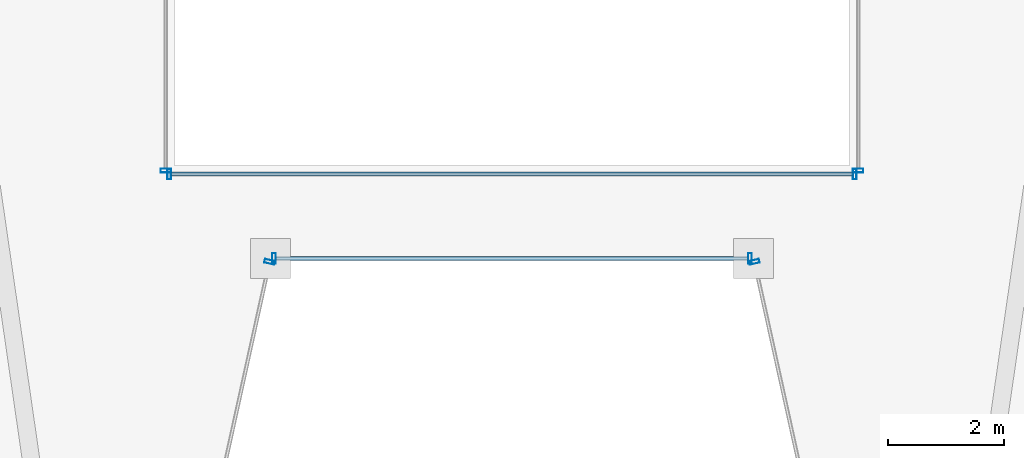
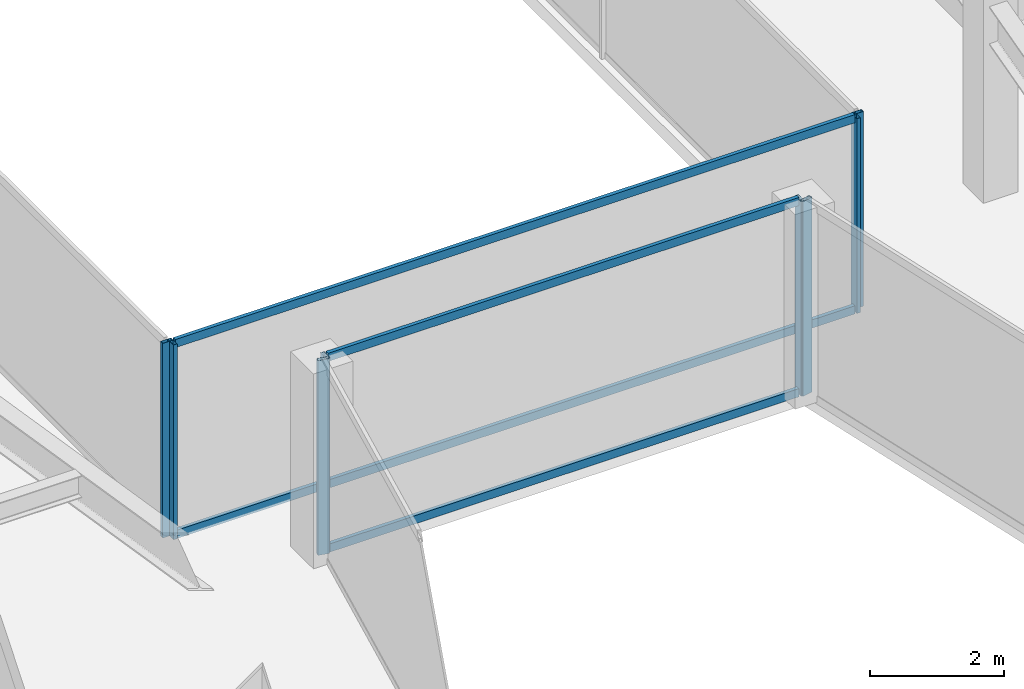
# One storey, part 7 of 38: 12 members, 6 elements without a shape of their own.
"""IFC4 building model written with IfcOpenShell, lengths in metres."""

from ifc_helpers import new_model, si_unit, direction, frame, origin, origin_2d, place, context, subcontext, project, spatial, hollow_rectangle, extrude, material, material_profile, profile_set, type_object, element, aggregate, save


model = new_model("IFC4")

# Units and contexts
model_context = context("Model", 3, precision=1e-05, world=origin(), true_north=direction((0.0, 1.0)))
body_context = subcontext(model_context, "Body", "Model", "MODEL_VIEW")
ifc_project = project(units=[si_unit("LENGTHUNIT", "METRE"), si_unit("AREAUNIT", "SQUARE_METRE"), si_unit("VOLUMEUNIT", "CUBIC_METRE"), si_unit("PLANEANGLEUNIT", "RADIAN"), si_unit("MASSUNIT", "GRAM", prefix="KILO")], contexts=[model_context])

# Site, building, storey
site_placement = place(None, origin())
site = spatial("IfcSite", under=ifc_project, at=site_placement, CompositionType="ELEMENT")
building_placement = place(site_placement, origin())
building = spatial("IfcBuilding", under=site, at=building_placement, Name="Saevonmaru Cultural Tower", CompositionType="ELEMENT")
storey_placement = place(building_placement, frame((0.0, 0.0, 137.199951171875)))
storey = spatial("IfcBuildingStorey", under=building, at=storey_placement, Name="L29", CompositionType="ELEMENT", Elevation=137.199951171875)

# Curtain wall, member
ifc_material = material(Name="Satin Bronze Anodised Aluminium", Category="aluminium")
curtain_wall_type_1 = type_object("IfcCurtainWallType", Name="CW-TYP-A", PredefinedType="NOTDEFINED", material=ifc_material)
curtain_wall_1_placement = place(storey_placement, origin())
curtain_wall_1 = element("IfcCurtainWall", 1, at=curtain_wall_1_placement, inside=storey, type_object=curtain_wall_type_1, Name="L29 Unitised Curtain Wall E3", PredefinedType="NOTDEFINED")
ifc_material_profile_1 = material_profile(ifc_material, hollow_rectangle(XDim=0.06494140625, YDim=0.179931640625, WallThickness=0.00390625, at=origin_2d()), Name="ALU-MULL-180x65x4")
ifc_profile_set_1 = profile_set([ifc_material_profile_1], Name="Satin Bronze Anodised Aluminium")
member_type_1 = type_object("IfcMemberType", Name="ML-CW-180x65", PredefinedType="MULLION", material=ifc_profile_set_1)
member_1_placement = place(storey_placement, frame((25.8359375, 20.741455078125, 0.0), z_axis=(0.0, 0.0, 1.0), x_axis=(0.215413319953, 0.976522965212, 0.0)))
member_1 = element("IfcMember", 2, at=member_1_placement, type_object=member_type_1, Name="CW-TW-L29-E3 mullion 2", PredefinedType="MULLION", context=body_context, shape_type="SweptSolid", body=[
    extrude(hollow_rectangle(XDim=0.06494140625, YDim=0.179931640625, WallThickness=0.00390625, at=origin_2d()), origin(), (0.0, 0.0, 1.0), 3.550048828125),
])
aggregate(curtain_wall_1, [member_1])

# Curtain wall, members
curtain_wall_2_placement = place(storey_placement, origin())
curtain_wall_2 = element("IfcCurtainWall", 3, at=curtain_wall_2_placement, inside=storey, type_object=curtain_wall_type_1, Name="L29 Unitised Curtain Wall E4", PredefinedType="NOTDEFINED")
member_2_placement = place(storey_placement, frame((25.908935546875, 20.800048828125, 0.0), z_axis=(0.0, 0.0, 1.0), x_axis=(1.0, 0.0, 0.0)))
member_2 = element("IfcMember", 4, at=member_2_placement, type_object=member_type_1, Name="CW-TW-L29-E4 mullion 1", PredefinedType="MULLION", context=body_context, shape_type="SweptSolid", body=[
    extrude(hollow_rectangle(XDim=0.06494140625, YDim=0.179931640625, WallThickness=0.00390625, at=origin_2d()), origin(), (0.0, 0.0, 1.0), 3.550048828125),
])
member_3_placement = place(storey_placement, frame((34.091064453125, 20.800048828125, 0.0), z_axis=(0.0, 0.0, 1.0), x_axis=(1.0, 0.0, 0.0)))
member_3 = element("IfcMember", 5, at=member_3_placement, type_object=member_type_1, Name="CW-TW-L29-E4 mullion 2", PredefinedType="MULLION", context=body_context, shape_type="SweptSolid", body=[
    extrude(hollow_rectangle(XDim=0.06494140625, YDim=0.179931640625, WallThickness=0.00390625, at=origin_2d()), origin(), (0.0, 0.0, 1.0), 3.550048828125),
])

# Curtain wall, member
curtain_wall_3_placement = place(storey_placement, origin())
curtain_wall_3 = element("IfcCurtainWall", 6, at=curtain_wall_3_placement, inside=storey, type_object=curtain_wall_type_1, Name="L29 Unitised Curtain Wall E5", PredefinedType="NOTDEFINED")
member_4_placement = place(storey_placement, frame((34.1640625, 20.741455078125, 0.0), z_axis=(0.0, 0.0, 1.0), x_axis=(0.215413319953, -0.976522965212, 0.0)))
member_4 = element("IfcMember", 7, at=member_4_placement, type_object=member_type_1, Name="CW-TW-L29-E5 mullion 1", PredefinedType="MULLION", context=body_context, shape_type="SweptSolid", body=[
    extrude(hollow_rectangle(XDim=0.06494140625, YDim=0.179931640625, WallThickness=0.00390625, at=origin_2d()), origin(), (0.0, 0.0, 1.0), 3.550048828125),
])
aggregate(curtain_wall_3, [member_4])

# Curtain wall, members
curtain_wall_type_2 = type_object("IfcCurtainWallType", Name="CW-ATR-GLZ", PredefinedType="NOTDEFINED", material=ifc_material)
curtain_wall_4_placement = place(storey_placement, origin())
curtain_wall_4 = element("IfcCurtainWall", 8, at=curtain_wall_4_placement, inside=storey, type_object=curtain_wall_type_2, Name="L29 Vertical Atrium Glazed Smoke Screen 1", PredefinedType="NOTDEFINED")
ifc_material_profile_2 = material_profile(ifc_material, hollow_rectangle(XDim=0.06494140625, YDim=0.179931640625, WallThickness=0.00390625, at=origin_2d()), Name="ALU-MULL-180x65x4")
ifc_profile_set_2 = profile_set([ifc_material_profile_2], Name="Satin Bronze Anodised Aluminium")
member_type_2 = type_object("IfcMemberType", Name="ML-CW-INT-180x65", PredefinedType="MULLION", material=ifc_profile_set_2)
member_5_placement = place(storey_placement, frame((24.110107421875, 22.25, 0.0), z_axis=(0.0, 0.0, 1.0), x_axis=(1.0, 0.0, 0.0)))
member_5 = element("IfcMember", 9, at=member_5_placement, type_object=member_type_2, Name="CW-ATR-L29-1 mullion 1", PredefinedType="MULLION", context=body_context, shape_type="SweptSolid", body=[
    extrude(hollow_rectangle(XDim=0.06494140625, YDim=0.179931640625, WallThickness=0.00390625, at=origin_2d()), origin(), (0.0, 0.0, 1.0), 3.550048828125),
])
member_6_placement = place(storey_placement, frame((35.889892578125, 22.25, 0.0), z_axis=(0.0, 0.0, 1.0), x_axis=(1.0, 0.0, 0.0)))
member_6 = element("IfcMember", 10, at=member_6_placement, type_object=member_type_2, Name="CW-ATR-L29-1 mullion 2", PredefinedType="MULLION", context=body_context, shape_type="SweptSolid", body=[
    extrude(hollow_rectangle(XDim=0.06494140625, YDim=0.179931640625, WallThickness=0.00390625, at=origin_2d()), origin(), (0.0, 0.0, 1.0), 3.550048828125),
])

# Curtain wall, member
curtain_wall_5_placement = place(storey_placement, origin())
curtain_wall_5 = element("IfcCurtainWall", 11, at=curtain_wall_5_placement, inside=storey, type_object=curtain_wall_type_2, Name="L29 Vertical Atrium Glazed Smoke Screen 2", PredefinedType="NOTDEFINED")
member_7_placement = place(storey_placement, frame((35.949951171875, 22.31005859375, 0.0), z_axis=(0.0, 0.0, 1.0), x_axis=(0.0, 1.0, 0.0)))
member_7 = element("IfcMember", 12, at=member_7_placement, type_object=member_type_2, Name="CW-ATR-L29-2 mullion 1", PredefinedType="MULLION", context=body_context, shape_type="SweptSolid", body=[
    extrude(hollow_rectangle(XDim=0.06494140625, YDim=0.179931640625, WallThickness=0.00390625, at=origin_2d()), origin(), (0.0, 0.0, 1.0), 3.550048828125),
])
aggregate(curtain_wall_5, [member_7])

curtain_wall_6_placement = place(storey_placement, origin())
curtain_wall_6 = element("IfcCurtainWall", 13, at=curtain_wall_6_placement, inside=storey, type_object=curtain_wall_type_2, Name="L29 Vertical Atrium Glazed Smoke Screen 4", PredefinedType="NOTDEFINED")
member_8_placement = place(storey_placement, frame((24.050048828125, 22.31005859375, 0.0), z_axis=(0.0, 0.0, 1.0), x_axis=(0.0, -1.0, 0.0)))
member_8 = element("IfcMember", 14, at=member_8_placement, type_object=member_type_2, Name="CW-ATR-L29-4 mullion 3", PredefinedType="MULLION", context=body_context, shape_type="SweptSolid", body=[
    extrude(hollow_rectangle(XDim=0.06494140625, YDim=0.179931640625, WallThickness=0.00390625, at=origin_2d()), origin(), (0.0, 0.0, 1.0), 3.550048828125),
])
aggregate(curtain_wall_6, [member_8])

# Member
ifc_material_profile_3 = material_profile(ifc_material, hollow_rectangle(XDim=0.06494140625, YDim=0.14990234375, WallThickness=0.00390625, at=origin_2d()), Name="ALU-TRAN-150x65x4")
ifc_profile_set_3 = profile_set([ifc_material_profile_3], Name="Satin Bronze Anodised Aluminium")
member_type_3 = type_object("IfcMemberType", Name="TR-CW-150x65", PredefinedType="USERDEFINED", material=ifc_profile_set_3)
member_9_placement = place(storey_placement, frame((25.94140625, 20.800048828125, 0.032470703125), z_axis=(1.0, 0.0, 0.0), x_axis=(0.0, 1.0, 0.0)))
member_9 = element("IfcMember", 15, at=member_9_placement, type_object=member_type_3, Name="CW-TW-L29-E4 transom 1.1", ObjectType="TRANSOM", PredefinedType="USERDEFINED", context=body_context, shape_type="SweptSolid", body=[
    extrude(hollow_rectangle(XDim=0.06494140625, YDim=0.14990234375, WallThickness=0.00390625, at=origin_2d()), origin(), (0.0, 0.0, 1.0), 8.1171875),
])

member_10_placement = place(storey_placement, frame((25.94140625, 20.800048828125, 3.517578125), z_axis=(1.0, 0.0, 0.0), x_axis=(0.0, 1.0, 0.0)))
member_10 = element("IfcMember", 16, at=member_10_placement, type_object=member_type_3, Name="CW-TW-L29-E4 transom 1.2", ObjectType="TRANSOM", PredefinedType="USERDEFINED", context=body_context, shape_type="SweptSolid", body=[
    extrude(hollow_rectangle(XDim=0.06494140625, YDim=0.14990234375, WallThickness=0.00390625, at=origin_2d()), origin(), (0.0, 0.0, 1.0), 8.1171875),
])

aggregate(curtain_wall_2, [member_2, member_3, member_9, member_10])

ifc_material_profile_4 = material_profile(ifc_material, hollow_rectangle(XDim=0.06494140625, YDim=0.14990234375, WallThickness=0.00390625, at=origin_2d()), Name="ALU-TRAN-150x65x4")
ifc_profile_set_4 = profile_set([ifc_material_profile_4], Name="Satin Bronze Anodised Aluminium")
member_type_4 = type_object("IfcMemberType", Name="TR-CW-INT-150x65", PredefinedType="USERDEFINED", material=ifc_profile_set_4)
member_11_placement = place(storey_placement, frame((24.142578125, 22.25, 0.032470703125), z_axis=(1.0, 0.0, 0.0), x_axis=(0.0, 1.0, 0.0)))
member_11 = element("IfcMember", 17, at=member_11_placement, type_object=member_type_4, Name="CW-ATR-L29-1 transom 1.1", ObjectType="TRANSOM", PredefinedType="USERDEFINED", context=body_context, shape_type="SweptSolid", body=[
    extrude(hollow_rectangle(XDim=0.06494140625, YDim=0.14990234375, WallThickness=0.00390625, at=origin_2d()), origin(), (0.0, 0.0, 1.0), 11.71484375),
])

member_12_placement = place(storey_placement, frame((24.142578125, 22.25, 3.517578125), z_axis=(1.0, 0.0, 0.0), x_axis=(0.0, 1.0, 0.0)))
member_12 = element("IfcMember", 18, at=member_12_placement, type_object=member_type_4, Name="CW-ATR-L29-1 transom 1.2", ObjectType="TRANSOM", PredefinedType="USERDEFINED", context=body_context, shape_type="SweptSolid", body=[
    extrude(hollow_rectangle(XDim=0.06494140625, YDim=0.14990234375, WallThickness=0.00390625, at=origin_2d()), origin(), (0.0, 0.0, 1.0), 11.71484375),
])

aggregate(curtain_wall_4, [member_5, member_6, member_11, member_12])

save(model, "model.ifc")
